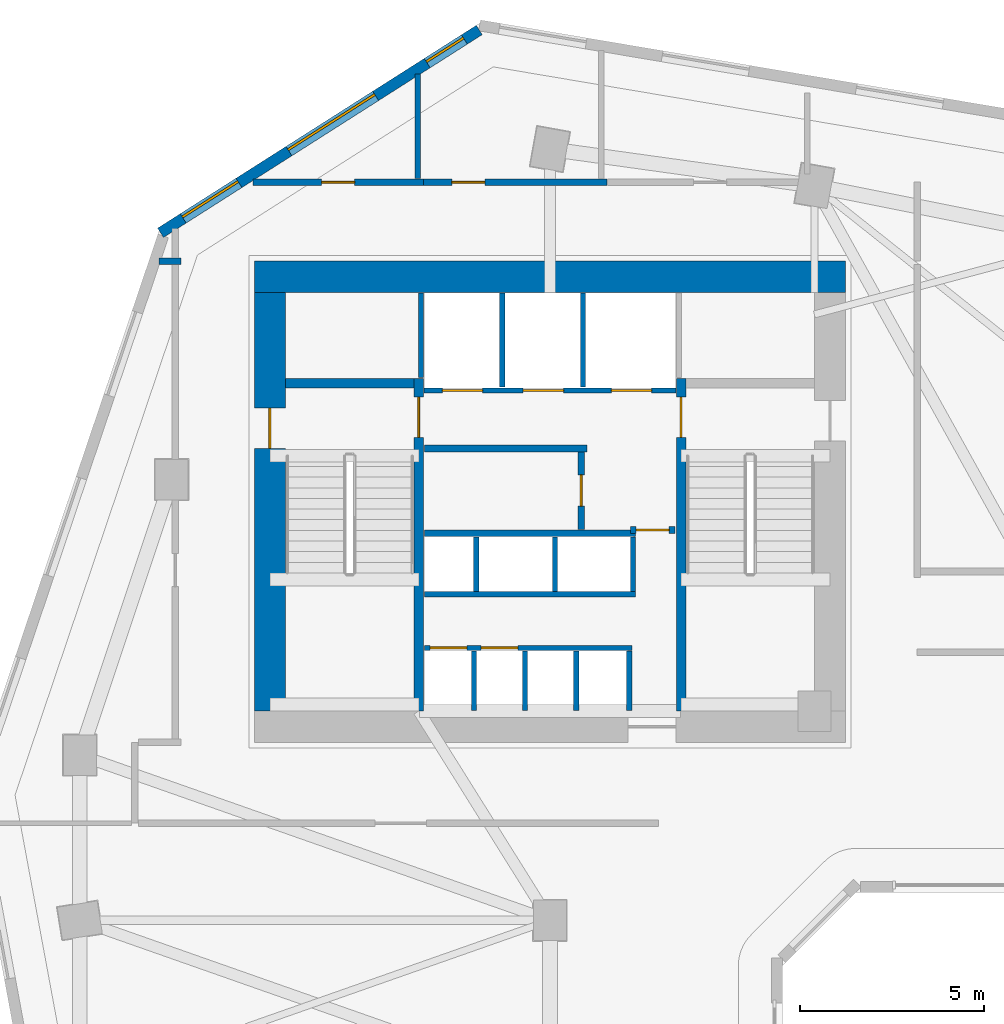
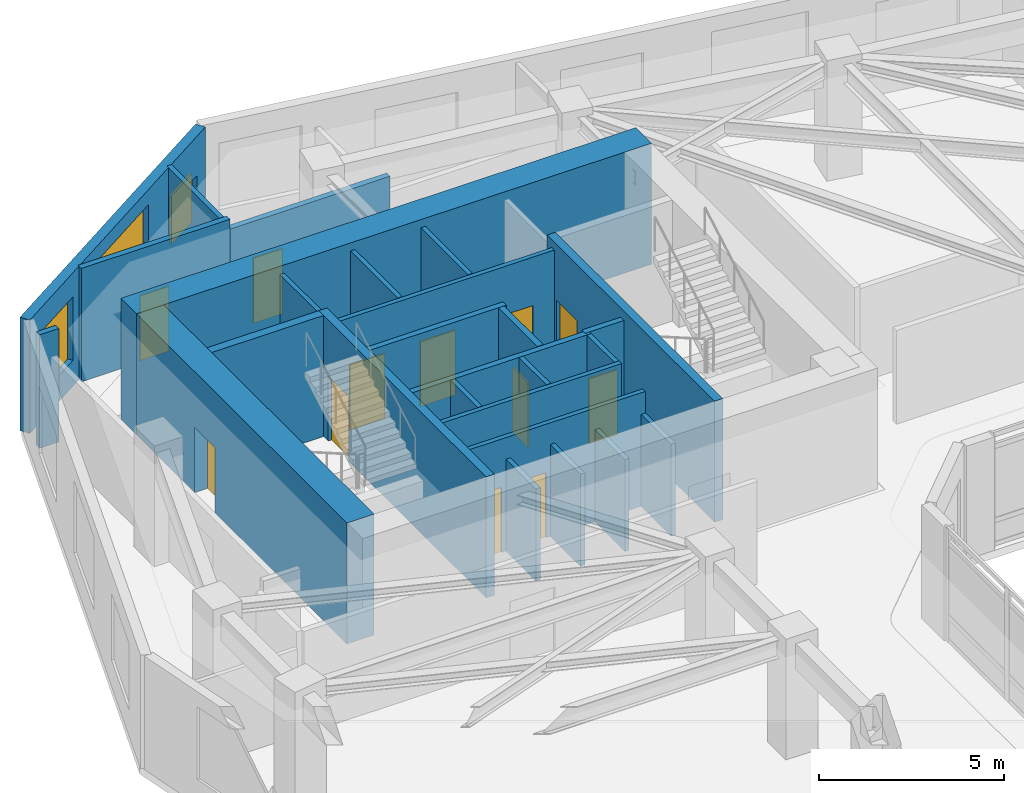
# One storey, part 6 of 11: 27 walls, 12 doors, 3 windows, 15 openings.
"""IFC4 building model written with IfcOpenShell, lengths in metres."""

from ifc_helpers import new_model, si_unit, direction, frame, frame_2d, origin, place, context, subcontext, project, spatial, rectangle, extrude, source, transform, mapped, material, layer, layer_set, type_object, element, fill, save


model = new_model("IFC4")

# Units and contexts
model_context = context("Model", 3, precision=1e-05, world=origin(), true_north=direction((0.0, 1.0)))
body_context = subcontext(model_context, "Body", "Model", "MODEL_VIEW")
ifc_project = project(units=[si_unit("LENGTHUNIT", "METRE"), si_unit("AREAUNIT", "SQUARE_METRE"), si_unit("VOLUMEUNIT", "CUBIC_METRE"), si_unit("PLANEANGLEUNIT", "RADIAN"), si_unit("MASSUNIT", "GRAM", prefix="KILO")], contexts=[model_context])

# Site, building, storey
site_placement = place(None, origin())
site = spatial("IfcSite", under=ifc_project, at=site_placement, CompositionType="ELEMENT")
building_placement = place(site_placement, origin())
building = spatial("IfcBuilding", under=site, at=building_placement, Name="Calvemar Wedge Station Tower", CompositionType="ELEMENT")
storey_placement = place(building_placement, frame((0.0, 0.0, 31.0)))
storey = spatial("IfcBuildingStorey", under=building, at=storey_placement, Name="L07", CompositionType="ELEMENT", Elevation=31.0)

# Wall, opening, door
ifc_material_1 = material(Name="Concrete C50", Category="concrete")
ifc_layer_1 = layer(ifc_material_1, 0.260009765625)
ifc_layer_set_1 = layer_set([ifc_layer_1], Name="Concrete C50")
wall_type_1 = type_object("IfcWallType", Name="SW-CORE-260", PredefinedType="SHEAR", material=ifc_layer_set_1)
wall_1_placement = place(storey_placement, frame((20.22998046875, 34.199951171875, 0.0), z_axis=(0.0, 0.0, 1.0), x_axis=(0.0, 1.0, 0.0)))
wall_1 = element("IfcWall", 1, at=wall_1_placement, inside=storey, type_object=wall_type_1, Name="Storey L07 Core Shear Wall SPINE-W", PredefinedType="SHEAR", context=body_context, shape_type="SweptSolid", body=[
    extrude(rectangle(XDim=9.06005859375, YDim=0.260009765625, at=frame_2d((4.530029296875, 0.0))), origin(), (0.0, 0.0, 1.0), 4.0),
])
shared_shape_1 = source(origin(), body_context, "Body", "SweptSolid", [
    extrude(rectangle(XDim=1.10009765625, YDim=2.14990234375, at=frame_2d((0.550048828125, 1.074951171875))), frame((0.0, 0.14013671875, 0.0), z_axis=(0.0, -1.0, 0.0), x_axis=(1.0, 0.0, 0.0)), (0.0, 0.0, 1.0), 0.280029296875),
])
opening_1_placement = place(wall_1_placement, frame((7.449951171875, 0.0, 0.0)))
opening_1 = element("IfcOpeningElement", 2, at=opening_1_placement, cuts=wall_1, Name="Opening FD-90", PredefinedType="OPENING", context=body_context, shape_type="MappedRepresentation", body=[
    mapped(shared_shape_1, transform((0.0, 0.0, 0.0), scale=1.0)),
])
ifc_material_2 = material(Name="Galvanized fire-rated steel door leaf P-90", Category="steel")
door_type_1 = type_object("IfcDoorType", Name="DR-FD90-1100", OperationType="NOTDEFINED", PredefinedType="DOOR", material=ifc_material_2)
shared_shape_2 = source(origin(), body_context, "Body", "SweptSolid", [
    extrude(rectangle(XDim=1.10009765625, YDim=2.14990234375, at=frame_2d((0.550048828125, 1.074951171875))), frame((0.0, 0.02490234375, 0.0), z_axis=(0.0, -1.0, 0.0), x_axis=(1.0, 0.0, 0.0)), (0.0, 0.0, 1.0), 0.050048828125),
])
door_1_placement = place(opening_1_placement, origin())
door_1 = element("IfcDoor", 3, at=door_1_placement, inside=storey, type_object=door_type_1, Name="L07 FF Lobby to Stair ST-C1 Door", OperationType="SINGLE_SWING_RIGHT", OverallHeight=2.14990234375, OverallWidth=1.10009765625, PredefinedType="DOOR", context=body_context, shape_type="MappedRepresentation", body=[
    mapped(shared_shape_2, transform((0.0, 0.0, 0.0), scale=1.0)),
])
fill(opening_1, door_1)

wall_2_placement = place(storey_placement, frame((27.3701171875, 34.199951171875, 0.0), z_axis=(0.0, 0.0, 1.0), x_axis=(0.0, 1.0, 0.0)))
wall_2 = element("IfcWall", 4, at=wall_2_placement, inside=storey, type_object=wall_type_1, Name="Storey L07 Core Shear Wall SPINE-E", PredefinedType="SHEAR", context=body_context, shape_type="SweptSolid", body=[
    extrude(rectangle(XDim=9.06005859375, YDim=0.260009765625, at=frame_2d((4.530029296875, 0.0))), origin(), (0.0, 0.0, 1.0), 4.0),
])
opening_2_placement = place(wall_2_placement, frame((7.449951171875, 0.0, 0.0)))
opening_2 = element("IfcOpeningElement", 5, at=opening_2_placement, cuts=wall_2, Name="Opening FD-90", PredefinedType="OPENING", context=body_context, shape_type="MappedRepresentation", body=[
    mapped(shared_shape_1, transform((0.0, 0.0, 0.0), scale=1.0)),
])
door_2_placement = place(opening_2_placement, origin())
door_2 = element("IfcDoor", 6, at=door_2_placement, inside=storey, type_object=door_type_1, Name="L07 FF Lobby to Stair ST-C2 Door", OperationType="SINGLE_SWING_LEFT", OverallHeight=2.14990234375, OverallWidth=1.10009765625, PredefinedType="DOOR", context=body_context, shape_type="MappedRepresentation", body=[
    mapped(shared_shape_2, transform((0.0, 0.0, 0.0), scale=1.0)),
])
fill(opening_2, door_2)

# Walls
wall_3_placement = place(storey_placement, frame((16.60009765625, 43.1298828125, 0.0), z_axis=(0.0, 0.0, 1.0), x_axis=(1.0, 0.0, 0.0)))
element("IfcWall", 7, at=wall_3_placement, inside=storey, type_object=wall_type_1, Name="Storey L07 Core Shear Wall STC1-N", PredefinedType="SHEAR", context=body_context, shape_type="SweptSolid", body=[
    extrude(rectangle(XDim=3.5, YDim=0.260009765625, at=frame_2d((1.75, 0.0))), origin(), (0.0, 0.0, 1.0), 4.0),
])
ifc_material_3 = material(Name="Concrete C80", Category="concrete")
ifc_layer_2 = layer(ifc_material_3, 0.85009765625)
ifc_layer_set_2 = layer_set([ifc_layer_2], Name="Concrete C80")
wall_type_2 = type_object("IfcWallType", Name="SW-CORE-850", PredefinedType="SHEAR", material=ifc_layer_set_2)
wall_4_placement = place(storey_placement, frame((15.75, 46.02490234375, 0.0), z_axis=(0.0, 0.0, 1.0), x_axis=(1.0, 0.0, 0.0)))
element("IfcWall", 8, at=wall_4_placement, inside=storey, type_object=wall_type_2, Name="Storey L07 Core Shear Wall N", PredefinedType="SHEAR", context=body_context, shape_type="SweptSolid", body=[
    extrude(rectangle(XDim=16.10009765625, YDim=0.85009765625, at=frame_2d((8.050048828125, 0.0))), origin(), (0.0, 0.0, 1.0), 4.0),
])

# Wall, opening, door
wall_5_placement = place(storey_placement, frame((16.175048828125, 34.199951171875, 0.0), z_axis=(0.0, 0.0, 1.0), x_axis=(0.0, 1.0, 0.0)))
wall_5 = element("IfcWall", 9, at=wall_5_placement, inside=storey, type_object=wall_type_2, Name="Storey L07 Core Shear Wall W", PredefinedType="SHEAR", context=body_context, shape_type="SweptSolid", body=[
    extrude(rectangle(XDim=11.400146484375, YDim=0.85009765625, at=frame_2d((5.7001953125, 0.0))), origin(), (0.0, 0.0, 1.0), 4.0),
])
shared_shape_3 = source(origin(), body_context, "Body", "SweptSolid", [
    extrude(rectangle(XDim=1.10009765625, YDim=2.14990234375, at=frame_2d((0.550048828125, 1.074951171875))), frame((0.0, 0.43505859375, 0.0), z_axis=(0.0, -1.0, 0.0), x_axis=(1.0, 0.0, 0.0)), (0.0, 0.0, 1.0), 0.8701171875),
])
opening_3_placement = place(wall_5_placement, frame((7.14990234375, 0.0, 0.0)))
opening_3 = element("IfcOpeningElement", 10, at=opening_3_placement, cuts=wall_5, Name="Opening FD-90", PredefinedType="OPENING", context=body_context, shape_type="MappedRepresentation", body=[
    mapped(shared_shape_3, transform((0.0, 0.0, 0.0), scale=1.0)),
])
door_3_placement = place(opening_3_placement, origin())
door_3 = element("IfcDoor", 11, at=door_3_placement, inside=storey, type_object=door_type_1, Name="L07 West Corridor to Exit Stair ST-C1 Door", OperationType="SINGLE_SWING_RIGHT", OverallHeight=2.14990234375, OverallWidth=1.10009765625, PredefinedType="DOOR", context=body_context, shape_type="MappedRepresentation", body=[
    mapped(shared_shape_2, transform((0.0, 0.0, 0.0), scale=1.0)),
])
fill(opening_3, door_3)

# Wall
ifc_material_4 = material(Name="Double-stud fire-rated corridor partition")
ifc_layer_3 = layer(ifc_material_4, 0.179931640625)
ifc_layer_set_3 = layer_set([ifc_layer_3], Name="Double-stud fire-rated corridor partition")
wall_type_3 = type_object("IfcWallType", Name="W-CORR-180", PredefinedType="PARTITIONING", material=ifc_layer_set_3)
wall_6_placement = place(storey_placement, frame((24.81005859375, 41.35009765625, 0.0), z_axis=(0.0, 0.0, 1.0), x_axis=(-1.0, 0.0, 0.0)))
element("IfcWall", 12, at=wall_6_placement, inside=storey, type_object=wall_type_3, Name="Storey L07 Interior Partition WL-L07-001", PredefinedType="PARTITIONING", context=body_context, shape_type="SweptSolid", body=[
    extrude(rectangle(XDim=4.43017578125, YDim=0.179931640625, at=frame_2d((2.215087890625, 0.0))), origin(), (0.0, 0.0, 1.0), 3.75),
])

# Wall, opening, door
wall_7_placement = place(storey_placement, frame((24.64990234375, 41.256103515625, 0.0), z_axis=(0.0, 0.0, 1.0), x_axis=(0.0, -1.0, 0.0)))
wall_7 = element("IfcWall", 13, at=wall_7_placement, inside=storey, type_object=wall_type_3, Name="Storey L07 Interior Partition WL-L07-002", PredefinedType="PARTITIONING", context=body_context, shape_type="SweptSolid", body=[
    extrude(rectangle(XDim=2.106201171875, YDim=0.179931640625, at=frame_2d((1.05322265625, 0.0))), origin(), (0.0, 0.0, 1.0), 3.75),
])
shared_shape_4 = source(origin(), body_context, "Body", "SweptSolid", [
    extrude(rectangle(XDim=0.85009765625, YDim=2.14990234375, at=frame_2d((0.425048828125, 1.074951171875))), frame((0.0, 0.10009765625, 0.0), z_axis=(0.0, -1.0, 0.0), x_axis=(1.0, 0.0, 0.0)), (0.0, 0.0, 1.0), 0.199951171875),
])
opening_4_placement = place(wall_7_placement, frame((0.6279296875, 0.0, 0.0)))
opening_4 = element("IfcOpeningElement", 14, at=opening_4_placement, cuts=wall_7, Name="Opening FD-60S", PredefinedType="OPENING", context=body_context, shape_type="MappedRepresentation", body=[
    mapped(shared_shape_4, transform((0.0, 0.0, 0.0), scale=1.0)),
])
ifc_material_5 = material(Name="Fire-rated steel and hardwood service door EI 60", Category="steel")
door_type_2 = type_object("IfcDoorType", Name="DR-CORE-FD60-850", OperationType="NOTDEFINED", PredefinedType="DOOR", material=ifc_material_5)
shared_shape_5 = source(origin(), body_context, "Body", "SweptSolid", [
    extrude(rectangle(XDim=0.85009765625, YDim=2.14990234375, at=frame_2d((0.425048828125, 1.074951171875))), frame((0.0, 0.02490234375, 0.0), z_axis=(0.0, -1.0, 0.0), x_axis=(1.0, 0.0, 0.0)), (0.0, 0.0, 1.0), 0.050048828125),
])
door_4_placement = place(opening_4_placement, origin())
door_4 = element("IfcDoor", 15, at=door_4_placement, inside=storey, type_object=door_type_2, Name="L07 Cleaner and Linen Store Door", OperationType="SINGLE_SWING_RIGHT", OverallHeight=2.14990234375, OverallWidth=0.85009765625, PredefinedType="DOOR", context=body_context, shape_type="MappedRepresentation", body=[
    mapped(shared_shape_5, transform((0.0, 0.0, 0.0), scale=1.0)),
])
fill(opening_4, door_4)

wall_8_placement = place(storey_placement, frame((27.199951171875, 39.1298828125, 0.0), z_axis=(0.0, 0.0, 1.0), x_axis=(-1.0, 0.0, 0.0)))
wall_8 = element("IfcWall", 16, at=wall_8_placement, inside=storey, type_object=wall_type_3, Name="Storey L07 Interior Partition WL-L07-003", PredefinedType="PARTITIONING", context=body_context, shape_type="SweptSolid", body=[
    extrude(rectangle(XDim=1.2099609375, YDim=0.179931640625, at=frame_2d((0.60498046875, 0.0))), origin(), (0.0, 0.0, 1.0), 3.75),
])
shared_shape_6 = source(origin(), body_context, "Body", "SweptSolid", [
    extrude(rectangle(XDim=0.89990234375, YDim=2.14990234375, at=frame_2d((0.449951171875, 1.074951171875))), frame((0.0, 0.10009765625, 0.0), z_axis=(0.0, -1.0, 0.0), x_axis=(1.0, 0.0, 0.0)), (0.0, 0.0, 1.0), 0.199951171875),
])
opening_5_placement = place(wall_8_placement, frame((0.155029296875, 0.0, 0.0)))
opening_5 = element("IfcOpeningElement", 17, at=opening_5_placement, cuts=wall_8, Name="Opening FD-60", PredefinedType="OPENING", context=body_context, shape_type="MappedRepresentation", body=[
    mapped(shared_shape_6, transform((0.0, 0.0, 0.0), scale=1.0)),
])
ifc_material_6 = material(Name="Fire-rated acoustic timber-core entrance door EI 60", Category="wood")
door_type_3 = type_object("IfcDoorType", Name="DR-FD60-900", OperationType="NOTDEFINED", PredefinedType="DOOR", material=ifc_material_6)
shared_shape_7 = source(origin(), body_context, "Body", "SweptSolid", [
    extrude(rectangle(XDim=0.89990234375, YDim=2.14990234375, at=frame_2d((0.449951171875, 1.074951171875))), frame((0.0, 0.02490234375, 0.0), z_axis=(0.0, -1.0, 0.0), x_axis=(1.0, 0.0, 0.0)), (0.0, 0.0, 1.0), 0.050048828125),
])
door_5_placement = place(opening_5_placement, origin())
door_5 = element("IfcDoor", 18, at=door_5_placement, inside=storey, type_object=door_type_3, Name="L07 Core Service Lobby Door", OperationType="SINGLE_SWING_LEFT", OverallHeight=2.14990234375, OverallWidth=0.89990234375, PredefinedType="DOOR", context=body_context, shape_type="MappedRepresentation", body=[
    mapped(shared_shape_7, transform((0.0, 0.0, 0.0), scale=1.0)),
])
fill(opening_5, door_5)

# Wall
wall_9_placement = place(storey_placement, frame((13.760009765625, 46.449951171875, 0.0), z_axis=(0.0, 0.0, 1.0), x_axis=(-1.0, 0.0, 0.0)))
element("IfcWall", 19, at=wall_9_placement, inside=storey, type_object=wall_type_3, Name="Storey L07 Interior Partition WL-L07-008", PredefinedType="PARTITIONING", context=body_context, shape_type="SweptSolid", body=[
    extrude(rectangle(XDim=0.60107421875, YDim=0.179931640625, at=frame_2d((0.300537109375, 0.0))), origin(), (0.0, 0.0, 1.0), 3.75),
])

# Wall, opening, door
wall_10_placement = place(storey_placement, frame((15.709716796875, 48.60009765625, 0.0), z_axis=(0.0, 0.0, 1.0), x_axis=(1.0, 0.0, 0.0)))
wall_10 = element("IfcWall", 20, at=wall_10_placement, inside=storey, type_object=wall_type_3, Name="Storey L07 Interior Partition WL-L07-009", PredefinedType="PARTITIONING", context=body_context, shape_type="SweptSolid", body=[
    extrude(rectangle(XDim=4.650390625, YDim=0.179931640625, at=frame_2d((2.3251953125, 0.0))), origin(), (0.0, 0.0, 1.0), 3.75),
])
opening_6_placement = place(wall_10_placement, frame((1.875, 0.0, 0.0)))
opening_6 = element("IfcOpeningElement", 21, at=opening_6_placement, cuts=wall_10, Name="Opening D-01", PredefinedType="OPENING", context=body_context, shape_type="MappedRepresentation", body=[
    mapped(shared_shape_6, transform((0.0, 0.0, 0.0), scale=1.0)),
])
ifc_material_7 = material(Name="Architectural hardwood acoustic swing door", Category="wood")
door_type_4 = type_object("IfcDoorType", Name="DR-INT-900", OperationType="NOTDEFINED", PredefinedType="DOOR", material=ifc_material_7)
shared_shape_8 = source(origin(), body_context, "Body", "SweptSolid", [
    extrude(rectangle(XDim=0.89990234375, YDim=2.14990234375, at=frame_2d((0.449951171875, 1.074951171875))), frame((0.0, 0.02490234375, 0.0), z_axis=(0.0, -1.0, 0.0), x_axis=(1.0, 0.0, 0.0)), (0.0, 0.0, 1.0), 0.050048828125),
])
door_6_placement = place(opening_6_placement, origin())
door_6 = element("IfcDoor", 22, at=door_6_placement, inside=storey, type_object=door_type_4, Name="L07 Male Toilet Door", OperationType="SINGLE_SWING_LEFT", OverallHeight=2.14990234375, OverallWidth=0.89990234375, PredefinedType="DOOR", context=body_context, shape_type="MappedRepresentation", body=[
    mapped(shared_shape_8, transform((0.0, 0.0, 0.0), scale=1.0)),
])
fill(opening_6, door_6)

wall_11_placement = place(storey_placement, frame((20.362060546875, 48.60009765625, 0.0), z_axis=(0.0, 0.0, 1.0), x_axis=(1.0, 0.0, 0.0)))
wall_11 = element("IfcWall", 23, at=wall_11_placement, inside=storey, type_object=wall_type_3, Name="Storey L07 Interior Partition WL-L07-010", PredefinedType="PARTITIONING", context=body_context, shape_type="SweptSolid", body=[
    extrude(rectangle(XDim=4.998046875, YDim=0.179931640625, at=frame_2d((2.4990234375, 0.0))), origin(), (0.0, 0.0, 1.0), 3.4189453125),
])
opening_7_placement = place(wall_11_placement, frame((0.76806640625, 0.0, 0.0)))
opening_7 = element("IfcOpeningElement", 24, at=opening_7_placement, cuts=wall_11, Name="Opening D-01", PredefinedType="OPENING", context=body_context, shape_type="MappedRepresentation", body=[
    mapped(shared_shape_6, transform((0.0, 0.0, 0.0), scale=1.0)),
])
door_7_placement = place(opening_7_placement, origin())
door_7 = element("IfcDoor", 25, at=door_7_placement, inside=storey, type_object=door_type_4, Name="L07 Pantry Door", OperationType="SINGLE_SWING_RIGHT", OverallHeight=2.14990234375, OverallWidth=0.89990234375, PredefinedType="DOOR", context=body_context, shape_type="MappedRepresentation", body=[
    mapped(shared_shape_8, transform((0.0, 0.0, 0.0), scale=1.0)),
])
fill(opening_7, door_7)

# Wall, openings, windows
ifc_material_8 = material(Name="Precast concrete C45", Category="concrete")
ifc_layer_4 = layer(ifc_material_8, 0.300048828125)
ifc_layer_set_4 = layer_set([ifc_layer_4], Name="Precast concrete C45")
wall_type_4 = type_object("IfcWallType", Name="W-EXT-GFRC-300", PredefinedType="SOLIDWALL", material=ifc_layer_set_4)
wall_12_placement = place(storey_placement, frame((21.875, 52.742919921875, 0.0), z_axis=(0.0, 0.0, 1.0), x_axis=(-0.843647802826, -0.536896996441, 0.0)))
wall_12 = element("IfcWall", 26, at=wall_12_placement, inside=storey, type_object=wall_type_4, Name="Storey L07 Bronze GFRC Exterior Wall 11", PredefinedType="SOLIDWALL", context=body_context, shape_type="SweptSolid", body=[
    extrude(rectangle(XDim=10.284423828125, YDim=0.300048828125, at=frame_2d((5.14208984375, 0.0))), origin(), (0.0, 0.0, 1.0), 3.75),
])
shared_shape_9 = source(origin(), body_context, "Body", "SweptSolid", [
    extrude(rectangle(XDim=1.199951171875, YDim=1.60009765625, at=frame_2d((0.60009765625, 0.800048828125))), frame((0.0, 0.16015625, 0.0), z_axis=(0.0, -1.0, 0.0), x_axis=(1.0, 0.0, 0.0)), (0.0, 0.0, 1.0), 0.320068359375),
])
opening_8_placement = place(wall_12_placement, frame((0.47900390625, 0.0, 0.85009765625)))
opening_8 = element("IfcOpeningElement", 27, at=opening_8_placement, cuts=wall_12, Name="Opening W5", PredefinedType="OPENING", context=body_context, shape_type="MappedRepresentation", body=[
    mapped(shared_shape_9, transform((0.0, 0.0, 0.0), scale=1.0)),
])
shared_shape_10 = source(origin(), body_context, "Body", "SweptSolid", [
    extrude(rectangle(XDim=2.800048828125, YDim=2.39990234375, at=frame_2d((1.39990234375, 1.199951171875))), frame((0.0, 0.16015625, 0.0), z_axis=(0.0, -1.0, 0.0), x_axis=(1.0, 0.0, 0.0)), (0.0, 0.0, 1.0), 0.320068359375),
])
opening_9_placement = place(wall_12_placement, frame((3.342041015625, 0.0, 0.85009765625)))
opening_9 = element("IfcOpeningElement", 28, at=opening_9_placement, cuts=wall_12, Name="Opening W6", PredefinedType="OPENING", context=body_context, shape_type="MappedRepresentation", body=[
    mapped(shared_shape_10, transform((0.0, 0.0, 0.0), scale=1.0)),
])
shared_shape_11 = source(origin(), body_context, "Body", "SweptSolid", [
    extrude(rectangle(XDim=1.800048828125, YDim=2.10009765625, at=frame_2d((0.89990234375, 1.050048828125))), frame((0.0, 0.16015625, 0.0), z_axis=(0.0, -1.0, 0.0), x_axis=(1.0, 0.0, 0.0)), (0.0, 0.0, 1.0), 0.320068359375),
])
opening_10_placement = place(wall_12_placement, frame((7.75390625, 0.0, 0.85009765625)))
opening_10 = element("IfcOpeningElement", 29, at=opening_10_placement, cuts=wall_12, Name="Opening W2", PredefinedType="OPENING", context=body_context, shape_type="MappedRepresentation", body=[
    mapped(shared_shape_11, transform((0.0, 0.0, 0.0), scale=1.0)),
])
ifc_material_9 = material(Name="Low-E laminated insulated glass", Category="glass")
window_type_1 = type_object("IfcWindowType", Name="WIN-EXT-2", PartitioningType="SINGLE_PANEL", PredefinedType="WINDOW", material=ifc_material_9)
shared_shape_12 = source(origin(), body_context, "Body", "SweptSolid", [
    extrude(rectangle(XDim=1.800048828125, YDim=2.10009765625, at=frame_2d((0.89990234375, 1.050048828125))), frame((0.0, -0.014892578125, 0.0), z_axis=(0.0, -1.0, 0.0), x_axis=(1.0, 0.0, 0.0)), (0.0, 0.0, 1.0), 0.06005859375),
])
window_1_placement = place(opening_10_placement, origin())
window_1 = element("IfcWindow", 30, at=window_1_placement, inside=storey, type_object=window_type_1, Name="Storey L07 Recessed Window 11.3", OverallHeight=2.10009765625, OverallWidth=1.800048828125, PartitioningType="SINGLE_PANEL", PredefinedType="WINDOW", context=body_context, shape_type="MappedRepresentation", body=[
    mapped(shared_shape_12, transform((0.0, 0.0, 0.0), scale=1.0)),
])
fill(opening_10, window_1)
window_type_2 = type_object("IfcWindowType", Name="WIN-EXT-6", PartitioningType="SINGLE_PANEL", PredefinedType="WINDOW", material=ifc_material_9)
shared_shape_13 = source(origin(), body_context, "Body", "SweptSolid", [
    extrude(rectangle(XDim=2.800048828125, YDim=2.39990234375, at=frame_2d((1.39990234375, 1.199951171875))), frame((0.0, -0.014892578125, 0.0), z_axis=(0.0, -1.0, 0.0), x_axis=(1.0, 0.0, 0.0)), (0.0, 0.0, 1.0), 0.06005859375),
])
window_2_placement = place(opening_9_placement, origin())
window_2 = element("IfcWindow", 31, at=window_2_placement, inside=storey, type_object=window_type_2, Name="Storey L07 Recessed Window 11.2", OverallHeight=2.39990234375, OverallWidth=2.800048828125, PartitioningType="SINGLE_PANEL", PredefinedType="WINDOW", context=body_context, shape_type="MappedRepresentation", body=[
    mapped(shared_shape_13, transform((0.0, 0.0, 0.0), scale=1.0)),
])
fill(opening_9, window_2)
window_type_3 = type_object("IfcWindowType", Name="WIN-EXT-5", PartitioningType="SINGLE_PANEL", PredefinedType="WINDOW", material=ifc_material_9)
shared_shape_14 = source(origin(), body_context, "Body", "SweptSolid", [
    extrude(rectangle(XDim=1.199951171875, YDim=1.60009765625, at=frame_2d((0.60009765625, 0.800048828125))), frame((0.0, -0.014892578125, 0.0), z_axis=(0.0, -1.0, 0.0), x_axis=(1.0, 0.0, 0.0)), (0.0, 0.0, 1.0), 0.06005859375),
])
window_3_placement = place(opening_8_placement, origin())
window_3 = element("IfcWindow", 32, at=window_3_placement, inside=storey, type_object=window_type_3, Name="Storey L07 Recessed Window 11.1", OverallHeight=1.60009765625, OverallWidth=1.199951171875, PartitioningType="SINGLE_PANEL", PredefinedType="WINDOW", context=body_context, shape_type="MappedRepresentation", body=[
    mapped(shared_shape_14, transform((0.0, 0.0, 0.0), scale=1.0)),
])
fill(opening_8, window_3)

# Wall, openings, doors
ifc_material_10 = material(Name="Reinforced concrete blockwork lift shaft wall", Category="masonry")
ifc_layer_5 = layer(ifc_material_10, 0.139892578125)
ifc_layer_set_5 = layer_set([ifc_layer_5], Name="Reinforced concrete blockwork lift shaft wall")
wall_type_5 = type_object("IfcWallType", Name="W-LIFT-160", PredefinedType="SOLIDWALL", material=ifc_layer_set_5)
wall_13_placement = place(storey_placement, frame((20.3701171875, 42.929931640625, 0.0), z_axis=(0.0, 0.0, 1.0), x_axis=(1.0, 0.0, 0.0)))
wall_13 = element("IfcWall", 33, at=wall_13_placement, inside=storey, type_object=wall_type_5, Name="Storey L07 Firefighting and Service Lift Shaft Front Wall", PredefinedType="SOLIDWALL", context=body_context, shape_type="SweptSolid", body=[
    extrude(rectangle(XDim=6.85986328125, YDim=0.139892578125, at=frame_2d((3.429931640625, 0.0))), origin(), (0.0, 0.0, 1.0), 3.75),
])
shared_shape_15 = source(origin(), body_context, "Body", "SweptSolid", [
    extrude(rectangle(XDim=1.10009765625, YDim=2.14990234375, at=frame_2d((0.550048828125, 1.074951171875))), frame((0.0, 0.080078125, 0.0), z_axis=(0.0, -1.0, 0.0), x_axis=(1.0, 0.0, 0.0)), (0.0, 0.0, 1.0), 0.159912109375),
])
opening_11_placement = place(wall_13_placement, frame((0.5, 0.0, 0.0)))
opening_11 = element("IfcOpeningElement", 34, at=opening_11_placement, cuts=wall_13, Name="Opening LD-FF", PredefinedType="OPENING", context=body_context, shape_type="MappedRepresentation", body=[
    mapped(shared_shape_15, transform((0.0, 0.0, 0.0), scale=1.0)),
])
opening_12_placement = place(wall_13_placement, frame((2.699951171875, 0.0, 0.0)))
opening_12 = element("IfcOpeningElement", 35, at=opening_12_placement, cuts=wall_13, Name="Opening LD-FF", PredefinedType="OPENING", context=body_context, shape_type="MappedRepresentation", body=[
    mapped(shared_shape_15, transform((0.0, 0.0, 0.0), scale=1.0)),
])
opening_13_placement = place(wall_13_placement, frame((5.10009765625, 0.0, 0.0)))
opening_13 = element("IfcOpeningElement", 36, at=opening_13_placement, cuts=wall_13, Name="Opening LD-STN", PredefinedType="OPENING", context=body_context, shape_type="MappedRepresentation", body=[
    mapped(shared_shape_15, transform((0.0, 0.0, 0.0), scale=1.0)),
])
ifc_material_11 = material(Name="Stainless steel firefighting lift sliding landing door", Category="steel")
door_type_5 = type_object("IfcDoorType", Name="DR-LD-FF-1100", OperationType="SLIDING_TO_LEFT", PredefinedType="DOOR", material=ifc_material_11)
shared_shape_16 = source(origin(), body_context, "Body", "SweptSolid", [
    extrude(rectangle(XDim=1.10009765625, YDim=2.14990234375, at=frame_2d((0.550048828125, 1.074951171875))), frame((0.0, 0.02490234375, 0.0), z_axis=(0.0, -1.0, 0.0), x_axis=(1.0, 0.0, 0.0)), (0.0, 0.0, 1.0), 0.050048828125),
])
door_8_placement = place(opening_11_placement, origin())
door_8 = element("IfcDoor", 37, at=door_8_placement, inside=storey, type_object=door_type_5, Name="L07 Lift FF-01 Sliding Landing Door", OperationType="SLIDING_TO_LEFT", OverallHeight=2.14990234375, OverallWidth=1.10009765625, PredefinedType="DOOR", context=body_context, shape_type="MappedRepresentation", body=[
    mapped(shared_shape_16, transform((0.0, 0.0, 0.0), scale=1.0)),
])
fill(opening_11, door_8)
door_9_placement = place(opening_12_placement, origin())
door_9 = element("IfcDoor", 38, at=door_9_placement, inside=storey, type_object=door_type_5, Name="L07 Lift FF-02 Sliding Landing Door", OperationType="SLIDING_TO_RIGHT", OverallHeight=2.14990234375, OverallWidth=1.10009765625, PredefinedType="DOOR", context=body_context, shape_type="MappedRepresentation", body=[
    mapped(shared_shape_16, transform((0.0, 0.0, 0.0), scale=1.0)),
])
fill(opening_12, door_9)
ifc_material_12 = material(Name="Stainless steel transit lift sliding landing door", Category="steel")
door_type_6 = type_object("IfcDoorType", Name="DR-LD-PAX-1100", OperationType="SLIDING_TO_LEFT", PredefinedType="DOOR", material=ifc_material_12)
shared_shape_17 = source(origin(), body_context, "Body", "SweptSolid", [
    extrude(rectangle(XDim=1.10009765625, YDim=2.14990234375, at=frame_2d((0.550048828125, 1.074951171875))), frame((0.0, 0.02490234375, 0.0), z_axis=(0.0, -1.0, 0.0), x_axis=(1.0, 0.0, 0.0)), (0.0, 0.0, 1.0), 0.050048828125),
])
door_10_placement = place(opening_13_placement, origin())
door_10 = element("IfcDoor", 39, at=door_10_placement, inside=storey, type_object=door_type_6, Name="L07 Lift SV-01 Sliding Landing Door", OperationType="SLIDING_TO_LEFT", OverallHeight=2.14990234375, OverallWidth=1.10009765625, PredefinedType="DOOR", context=body_context, shape_type="MappedRepresentation", body=[
    mapped(shared_shape_17, transform((0.0, 0.0, 0.0), scale=1.0)),
])
fill(opening_13, door_10)

# Walls
wall_14_placement = place(storey_placement, frame((20.2900390625, 43.280029296875, 0.0), z_axis=(0.0, 0.0, 1.0), x_axis=(0.0, 1.0, 0.0)))
element("IfcWall", 40, at=wall_14_placement, inside=storey, type_object=wall_type_5, Name="Storey L07 Firefighting Lift Shaft Enclosure Wall W", PredefinedType="SOLIDWALL", context=body_context, shape_type="SweptSolid", body=[
    extrude(rectangle(XDim=2.300048828125, YDim=0.139892578125, at=frame_2d((1.14990234375, 0.0))), origin(), (0.0, 0.0, 1.0), 3.75),
])
for number, where, z_axis, x_axis, name in (
    (41, (22.5, 43.02001953125, 0.0), (0.0, 0.0, 1.0), (0.0, 1.0, 0.0), "Storey L07 Firefighting Lift Shaft Enclosure Wall D1"),
    (42, (24.699951171875, 43.02001953125, 0.0), (0.0, 0.0, 1.0), (0.0, 1.0, 0.0), "Storey L07 Firefighting Lift Shaft Enclosure Wall D2"),
):
    element("IfcWall", number, at=place(storey_placement, frame(where, z_axis=z_axis, x_axis=x_axis)), inside=storey, type_object=wall_type_5, Name=name, PredefinedType="SOLIDWALL", context=body_context, shape_type="SweptSolid", body=[
        extrude(rectangle(XDim=2.56005859375, YDim=0.139892578125, at=frame_2d((1.280029296875, 0.0))), origin(), (0.0, 0.0, 1.0), 3.75),
    ])

# Wall, openings, doors
wall_15_placement = place(storey_placement, frame((20.3798828125, 35.919921875, 0.0), z_axis=(0.0, 0.0, 1.0), x_axis=(1.0, 0.0, 0.0)))
wall_15 = element("IfcWall", 43, at=wall_15_placement, inside=storey, type_object=wall_type_5, Name="Storey L07 South Passenger Lift Bank Front Wall", PredefinedType="SOLIDWALL", context=body_context, shape_type="SweptSolid", body=[
    extrude(rectangle(XDim=5.650146484375, YDim=0.139892578125, at=frame_2d((2.8251953125, 0.0))), origin(), (0.0, 0.0, 1.0), 3.75),
])
shared_shape_18 = source(origin(), body_context, "Body", "SweptSolid", [
    extrude(rectangle(XDim=1.0, YDim=2.14990234375, at=frame_2d((0.5, 1.074951171875))), frame((0.0, 0.080078125, 0.0), z_axis=(0.0, -1.0, 0.0), x_axis=(1.0, 0.0, 0.0)), (0.0, 0.0, 1.0), 0.159912109375),
])
opening_14_placement = place(wall_15_placement, frame((0.159912109375, 0.0, 0.0)))
opening_14 = element("IfcOpeningElement", 44, at=opening_14_placement, cuts=wall_15, Name="Opening LD-PAX", PredefinedType="OPENING", context=body_context, shape_type="MappedRepresentation", body=[
    mapped(shared_shape_18, transform((0.0, 0.0, 0.0), scale=1.0)),
])
opening_15_placement = place(wall_15_placement, frame((1.550048828125, 0.0, 0.0)))
opening_15 = element("IfcOpeningElement", 45, at=opening_15_placement, cuts=wall_15, Name="Opening LD-PAX", PredefinedType="OPENING", context=body_context, shape_type="MappedRepresentation", body=[
    mapped(shared_shape_18, transform((0.0, 0.0, 0.0), scale=1.0)),
])
ifc_material_13 = material(Name="Anodised bronze passenger lift sliding landing door")
door_type_7 = type_object("IfcDoorType", Name="DR-LD-PAX-1000", OperationType="SLIDING_TO_LEFT", PredefinedType="DOOR", material=ifc_material_13)
shared_shape_19 = source(origin(), body_context, "Body", "SweptSolid", [
    extrude(rectangle(XDim=1.0, YDim=2.14990234375, at=frame_2d((0.5, 1.074951171875))), frame((0.0, 0.02490234375, 0.0), z_axis=(0.0, -1.0, 0.0), x_axis=(1.0, 0.0, 0.0)), (0.0, 0.0, 1.0), 0.050048828125),
])
door_11_placement = place(opening_14_placement, origin())
door_11 = element("IfcDoor", 46, at=door_11_placement, inside=storey, type_object=door_type_7, Name="L07 Lift OL-01 Sliding Landing Door", OperationType="SLIDING_TO_LEFT", OverallHeight=2.14990234375, OverallWidth=1.0, PredefinedType="DOOR", context=body_context, shape_type="MappedRepresentation", body=[
    mapped(shared_shape_19, transform((0.0, 0.0, 0.0), scale=1.0)),
])
fill(opening_14, door_11)
door_12_placement = place(opening_15_placement, origin())
door_12 = element("IfcDoor", 47, at=door_12_placement, inside=storey, type_object=door_type_7, Name="L07 Lift OL-02 Sliding Landing Door", OperationType="SLIDING_TO_RIGHT", OverallHeight=2.14990234375, OverallWidth=1.0, PredefinedType="DOOR", context=body_context, shape_type="MappedRepresentation", body=[
    mapped(shared_shape_19, transform((0.0, 0.0, 0.0), scale=1.0)),
])
fill(opening_15, door_12)

# Walls
for number, where, z_axis, x_axis, name in (
    (48, (25.9599609375, 34.219970703125, 0.0), (0.0, 0.0, 1.0), (0.0, 1.0, 0.0), "Storey L07 South Passenger Lift Shaft Wall E"),
    (49, (21.735107421875, 34.219970703125, 0.0), (0.0, 0.0, 1.0), (0.0, 1.0, 0.0), "Storey L07 South Passenger Lift Shaft Wall D1"),
    (50, (23.125, 34.219970703125, 0.0), (0.0, 0.0, 1.0), (0.0, 1.0, 0.0), "Storey L07 South Passenger Lift Shaft Wall D2"),
    (51, (24.514892578125, 34.219970703125, 0.0), (0.0, 0.0, 1.0), (0.0, 1.0, 0.0), "Storey L07 South Passenger Lift Shaft Wall D3"),
):
    element("IfcWall", number, at=place(storey_placement, frame(where, z_axis=z_axis, x_axis=x_axis)), inside=storey, type_object=wall_type_5, Name=name, PredefinedType="SOLIDWALL", context=body_context, shape_type="SweptSolid", body=[
        extrude(rectangle(XDim=1.6201171875, YDim=0.139892578125, at=frame_2d((0.81005859375, 0.0))), origin(), (0.0, 0.0, 1.0), 3.0419921875),
    ])
wall_16_placement = place(storey_placement, frame((20.3798828125, 37.3798828125, 0.0), z_axis=(0.0, 0.0, 1.0), x_axis=(1.0, 0.0, 0.0)))
element("IfcWall", 52, at=wall_16_placement, inside=storey, type_object=wall_type_5, Name="Storey L07 Upper Passenger Lift Bank Front Wall", PredefinedType="SOLIDWALL", context=body_context, shape_type="SweptSolid", body=[
    extrude(rectangle(XDim=5.75, YDim=0.139892578125, at=frame_2d((2.875, 0.0))), origin(), (0.0, 0.0, 1.0), 3.75),
])
for number, where, z_axis, x_axis, name in (
    (53, (26.06005859375, 37.4599609375, 0.0), (0.0, 0.0, 1.0), (0.0, 1.0, 0.0), "Storey L07 Upper Passenger Lift Shaft Wall E"),
    (54, (21.794921875, 37.4599609375, 0.0), (0.0, 0.0, 1.0), (0.0, 1.0, 0.0), "Storey L07 Upper Passenger Lift Shaft Wall D1"),
    (55, (23.93505859375, 37.4599609375, 0.0), (0.0, 0.0, 1.0), (0.0, 1.0, 0.0), "Storey L07 Upper Passenger Lift Shaft Wall D2"),
):
    element("IfcWall", number, at=place(storey_placement, frame(where, z_axis=z_axis, x_axis=x_axis)), inside=storey, type_object=wall_type_5, Name=name, PredefinedType="SOLIDWALL", context=body_context, shape_type="SweptSolid", body=[
        extrude(rectangle(XDim=1.47998046875, YDim=0.139892578125, at=frame_2d((0.739990234375, 0.0))), origin(), (0.0, 0.0, 1.0), 3.75),
    ])
ifc_material_14 = material(Name="Concrete blockwork and fireboard shaft wall", Category="masonry")
ifc_layer_6 = layer(ifc_material_14, 0.199951171875)
ifc_layer_set_6 = layer_set([ifc_layer_6], Name="Concrete blockwork and fireboard shaft wall")
wall_type_6 = type_object("IfcWallType", Name="W-SHAFT-200", PredefinedType="SOLIDWALL", material=ifc_layer_set_6)
wall_17_placement = place(storey_placement, frame((20.3798828125, 39.0400390625, 0.0), z_axis=(0.0, 0.0, 1.0), x_axis=(1.0, 0.0, 0.0)))
element("IfcWall", 56, at=wall_17_placement, inside=storey, type_object=wall_type_6, Name="Storey L07 Upper Passenger Lift Bank Rear Shaft Wall", PredefinedType="SOLIDWALL", context=body_context, shape_type="SweptSolid", body=[
    extrude(rectangle(XDim=5.75, YDim=0.179931640625, at=frame_2d((2.875, 0.0))), origin(), (0.0, 0.0, 1.0), 3.75),
])
ifc_material_15 = material(Name="Moisture-resistant acoustic bathroom partition")
ifc_layer_7 = layer(ifc_material_15, 0.14990234375)
ifc_layer_set_7 = layer_set([ifc_layer_7], Name="Moisture-resistant acoustic bathroom partition")
wall_type_7 = type_object("IfcWallType", Name="W-WET-150", PredefinedType="PARTITIONING", material=ifc_layer_set_7)
wall_18_placement = place(storey_placement, frame((20.199951171875, 51.540283203125, 0.0), z_axis=(0.0, 0.0, 1.0), x_axis=(0.0, -1.0, 0.0)))
element("IfcWall", 57, at=wall_18_placement, inside=storey, type_object=wall_type_7, Name="Storey L07 Interior Partition WL-L07-015", PredefinedType="PARTITIONING", context=body_context, shape_type="SweptSolid", body=[
    extrude(rectangle(XDim=2.84619140625, YDim=0.14990234375, at=frame_2d((1.423095703125, 0.0))), origin(), (0.0, 0.0, 1.0), 3.75),
])

save(model, "model.ifc")
